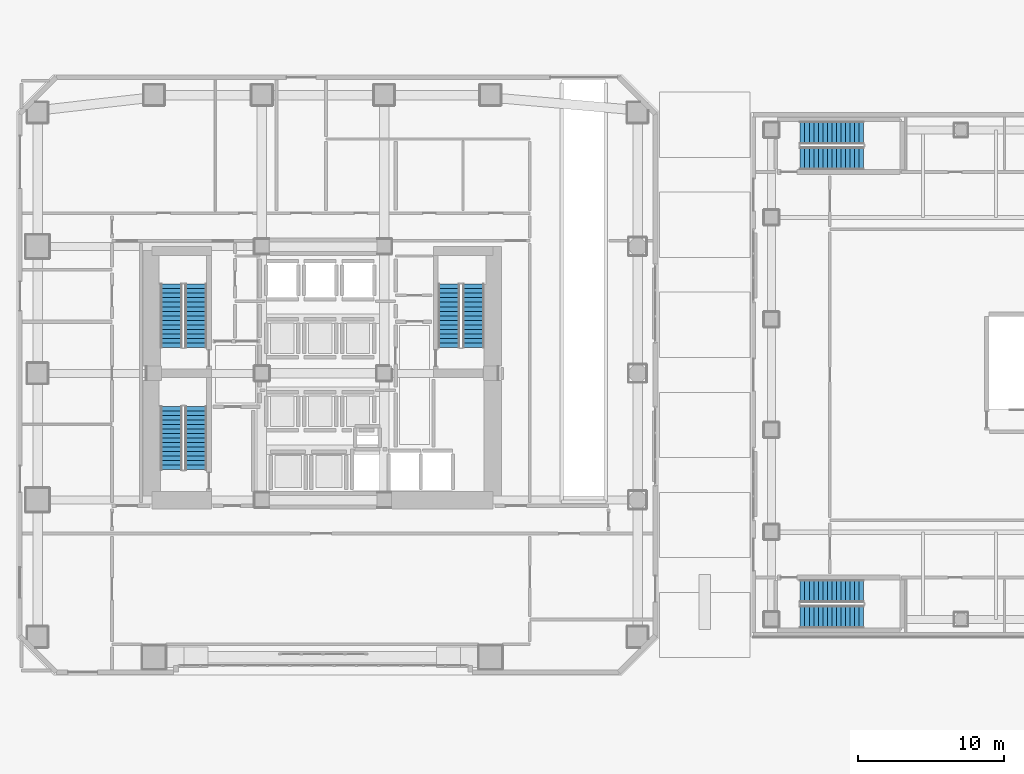
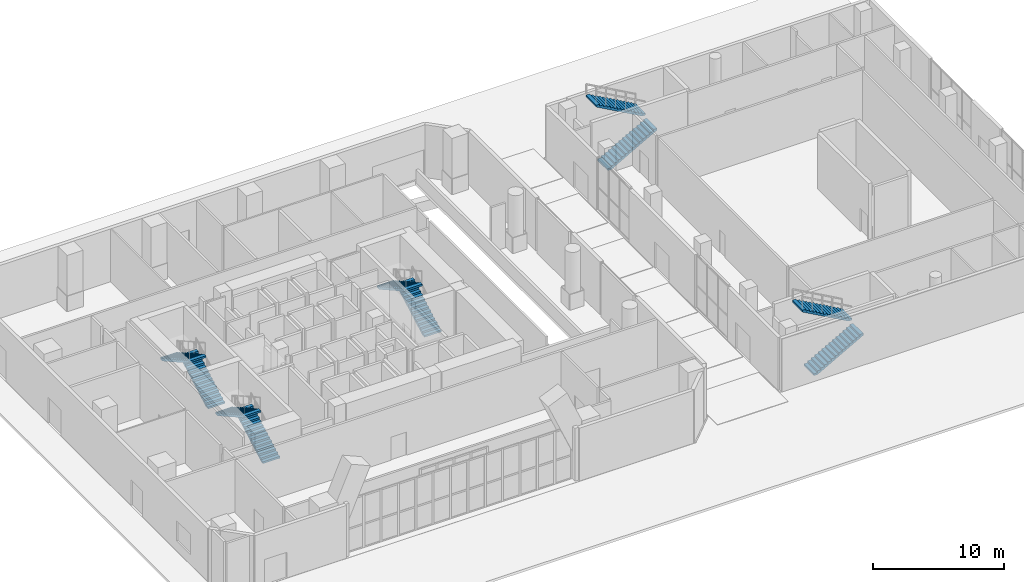
# One storey, part 26 of 30: 10 stair flights, 5 elements without a shape of their own.
"""IFC4 building model written with IfcOpenShell, lengths in metres."""

from ifc_helpers import new_model, si_unit, direction, frame, origin, place, context, subcontext, project, spatial, polyline, outline, extrude, material, type_object, element, aggregate, save


model = new_model("IFC4")

# Units and contexts
model_context = context("Model", 3, precision=1e-05, world=origin(), true_north=direction((0.0, 1.0)))
body_context = subcontext(model_context, "Body", "Model", "MODEL_VIEW")
ifc_project = project(units=[si_unit("LENGTHUNIT", "METRE"), si_unit("AREAUNIT", "SQUARE_METRE"), si_unit("VOLUMEUNIT", "CUBIC_METRE"), si_unit("PLANEANGLEUNIT", "RADIAN"), si_unit("MASSUNIT", "GRAM", prefix="KILO")], contexts=[model_context])

# Site, building, storey
site_placement = place(None, origin())
site = spatial("IfcSite", under=ifc_project, at=site_placement, CompositionType="ELEMENT")
building_placement = place(site_placement, origin())
building = spatial("IfcBuilding", under=site, at=building_placement, Name="Solanera Arch Residences", CompositionType="ELEMENT")
storey_placement = place(building_placement, origin())
storey = spatial("IfcBuildingStorey", under=building, at=storey_placement, Name="L00", CompositionType="ELEMENT", Elevation=0.0)

# Stair, stair flights
ifc_material_1 = material(Name="Concrete C40/50 (f'c = 45 MPa)", Category="concrete")
stair_type_1 = type_object("IfcStairType", Name="Arena Dogleg Exit Stair 1560", PredefinedType="HALF_TURN_STAIR", material=ifc_material_1)
stair_1_placement = place(storey_placement, origin())
stair_1 = element("IfcStair", 1, at=stair_1_placement, inside=storey, type_object=stair_type_1, Name="L00 Sports Hall South Exit Stair", PredefinedType="HALF_TURN_STAIR")
ifc_material_2 = material(Name="Concrete C40/50 (f'c = 45 MPa)", Category="concrete")
stair_flight_type_1 = type_object("IfcStairFlightType", Name="Arena Precast Stair Flight 1560", PredefinedType="STRAIGHT", material=ifc_material_2)
stair_flight_1_placement = place(storey_placement, frame((57.760009765625, 13.97998046875, 0.0), z_axis=(0.0, 0.0, 1.0), x_axis=(1.0, 0.0, 0.0)))
stair_flight_1 = element("IfcStairFlight", 2, at=stair_flight_1_placement, type_object=stair_flight_type_1, Name="ST-H1 flight 1", NumberOfRisers=15, NumberOfTreads=14, PredefinedType="STRAIGHT", RiserHeight=0.173333333, TreadLength=0.31, context=body_context, shape_type="SweptSolid", body=[
    extrude(outline(polyline([(0.0, 0.0), (0.0, 0.17333984375), (0.31005859375, 0.17333984375), (0.31005859375, 0.3466796875), (0.6201171875, 0.3466796875), (0.6201171875, 0.52001953125), (0.929931640625, 0.52001953125), (0.929931640625, 0.693359375), (1.239990234375, 0.693359375), (1.239990234375, 0.86669921875), (1.550048828125, 0.86669921875), (1.550048828125, 1.0400390625), (1.860107421875, 1.0400390625), (1.860107421875, 1.21337890625), (2.169921875, 1.21337890625), (2.169921875, 1.38671875), (2.47998046875, 1.38671875), (2.47998046875, 1.56005859375), (2.7900390625, 1.56005859375), (2.7900390625, 1.7333984375), (3.10009765625, 1.7333984375), (3.10009765625, 1.90673828125), (3.409912109375, 1.90673828125), (3.409912109375, 2.080078125), (3.719970703125, 2.080078125), (3.719970703125, 2.25341796875), (4.030029296875, 2.25341796875), (4.030029296875, 2.4267578125), (4.340087890625, 2.4267578125), (4.340087890625, 2.60009765625), (4.340087890625, 2.2548828125), (0.30712890625, 0.0), (0.0, 0.0)])), frame((0.0, 0.780029296875, 0.0), z_axis=(0.0, -1.0, 0.0), x_axis=(1.0, 0.0, 0.0)), (0.0, 0.0, 1.0), 1.56005859375),
])
stair_flight_2_placement = place(storey_placement, frame((62.10009765625, 15.739990234375, 2.60009765625), z_axis=(0.0, 0.0, 1.0), x_axis=(-1.0, 0.0, 0.0)))
stair_flight_2 = element("IfcStairFlight", 3, at=stair_flight_2_placement, type_object=stair_flight_type_1, Name="ST-H1 flight 2", NumberOfRisers=15, NumberOfTreads=14, PredefinedType="STRAIGHT", RiserHeight=0.173333333, TreadLength=0.31, context=body_context, shape_type="SweptSolid", body=[
    extrude(outline(polyline([(0.0, 0.0), (0.0, 0.17333984375), (0.31005859375, 0.17333984375), (0.31005859375, 0.3466796875), (0.6201171875, 0.3466796875), (0.6201171875, 0.52001953125), (0.929931640625, 0.52001953125), (0.929931640625, 0.693359375), (1.239990234375, 0.693359375), (1.239990234375, 0.86669921875), (1.550048828125, 0.86669921875), (1.550048828125, 1.0400390625), (1.860107421875, 1.0400390625), (1.860107421875, 1.21337890625), (2.169921875, 1.21337890625), (2.169921875, 1.38671875), (2.47998046875, 1.38671875), (2.47998046875, 1.56005859375), (2.7900390625, 1.56005859375), (2.7900390625, 1.7333984375), (3.10009765625, 1.7333984375), (3.10009765625, 1.90673828125), (3.409912109375, 1.90673828125), (3.409912109375, 2.080078125), (3.719970703125, 2.080078125), (3.719970703125, 2.25341796875), (4.030029296875, 2.25341796875), (4.030029296875, 2.4267578125), (4.340087890625, 2.4267578125), (4.340087890625, 2.60009765625), (4.340087890625, 2.2548828125), (0.30712890625, 0.0), (0.0, 0.0)])), frame((0.0, 0.780029296875, 0.0), z_axis=(0.0, -1.0, 0.0), x_axis=(1.0, 0.0, 0.0)), (0.0, 0.0, 1.0), 1.56005859375),
])
aggregate(stair_1, [stair_flight_1, stair_flight_2])

stair_2_placement = place(storey_placement, origin())
stair_2 = element("IfcStair", 4, at=stair_2_placement, inside=storey, type_object=stair_type_1, Name="L00 Sports Hall North Exit Stair", PredefinedType="HALF_TURN_STAIR")
stair_flight_3_placement = place(storey_placement, frame((57.760009765625, 45.4599609375, 0.0), z_axis=(0.0, 0.0, 1.0), x_axis=(1.0, 0.0, 0.0)))
stair_flight_3 = element("IfcStairFlight", 5, at=stair_flight_3_placement, type_object=stair_flight_type_1, Name="ST-H2 flight 1", NumberOfRisers=15, NumberOfTreads=14, PredefinedType="STRAIGHT", RiserHeight=0.173333333, TreadLength=0.31, context=body_context, shape_type="SweptSolid", body=[
    extrude(outline(polyline([(0.0, 0.0), (0.0, 0.17333984375), (0.31005859375, 0.17333984375), (0.31005859375, 0.3466796875), (0.6201171875, 0.3466796875), (0.6201171875, 0.52001953125), (0.929931640625, 0.52001953125), (0.929931640625, 0.693359375), (1.239990234375, 0.693359375), (1.239990234375, 0.86669921875), (1.550048828125, 0.86669921875), (1.550048828125, 1.0400390625), (1.860107421875, 1.0400390625), (1.860107421875, 1.21337890625), (2.169921875, 1.21337890625), (2.169921875, 1.38671875), (2.47998046875, 1.38671875), (2.47998046875, 1.56005859375), (2.7900390625, 1.56005859375), (2.7900390625, 1.7333984375), (3.10009765625, 1.7333984375), (3.10009765625, 1.90673828125), (3.409912109375, 1.90673828125), (3.409912109375, 2.080078125), (3.719970703125, 2.080078125), (3.719970703125, 2.25341796875), (4.030029296875, 2.25341796875), (4.030029296875, 2.4267578125), (4.340087890625, 2.4267578125), (4.340087890625, 2.60009765625), (4.340087890625, 2.2548828125), (0.30712890625, 0.0), (0.0, 0.0)])), frame((0.0, 0.780029296875, 0.0), z_axis=(0.0, -1.0, 0.0), x_axis=(1.0, 0.0, 0.0)), (0.0, 0.0, 1.0), 1.56005859375),
])
stair_flight_4_placement = place(storey_placement, frame((62.10009765625, 47.219970703125, 2.60009765625), z_axis=(0.0, 0.0, 1.0), x_axis=(-1.0, 0.0, 0.0)))
stair_flight_4 = element("IfcStairFlight", 6, at=stair_flight_4_placement, type_object=stair_flight_type_1, Name="ST-H2 flight 2", NumberOfRisers=15, NumberOfTreads=14, PredefinedType="STRAIGHT", RiserHeight=0.173333333, TreadLength=0.31, context=body_context, shape_type="SweptSolid", body=[
    extrude(outline(polyline([(0.0, 0.0), (0.0, 0.17333984375), (0.31005859375, 0.17333984375), (0.31005859375, 0.3466796875), (0.6201171875, 0.3466796875), (0.6201171875, 0.52001953125), (0.929931640625, 0.52001953125), (0.929931640625, 0.693359375), (1.239990234375, 0.693359375), (1.239990234375, 0.86669921875), (1.550048828125, 0.86669921875), (1.550048828125, 1.0400390625), (1.860107421875, 1.0400390625), (1.860107421875, 1.21337890625), (2.169921875, 1.21337890625), (2.169921875, 1.38671875), (2.47998046875, 1.38671875), (2.47998046875, 1.56005859375), (2.7900390625, 1.56005859375), (2.7900390625, 1.7333984375), (3.10009765625, 1.7333984375), (3.10009765625, 1.90673828125), (3.409912109375, 1.90673828125), (3.409912109375, 2.080078125), (3.719970703125, 2.080078125), (3.719970703125, 2.25341796875), (4.030029296875, 2.25341796875), (4.030029296875, 2.4267578125), (4.340087890625, 2.4267578125), (4.340087890625, 2.60009765625), (4.340087890625, 2.2548828125), (0.30712890625, 0.0), (0.0, 0.0)])), frame((0.0, 0.780029296875, 0.0), z_axis=(0.0, -1.0, 0.0), x_axis=(1.0, 0.0, 0.0)), (0.0, 0.0, 1.0), 1.56005859375),
])
aggregate(stair_2, [stair_flight_3, stair_flight_4])

ifc_material_3 = material(Name="Concrete C40/50 (f'c = 45 MPa)", Category="concrete")
stair_type_2 = type_object("IfcStairType", Name="Tower Dogleg Exit Stair 1480", PredefinedType="HALF_TURN_STAIR", material=ifc_material_3)
stair_3_placement = place(storey_placement, origin())
stair_3 = element("IfcStair", 7, at=stair_3_placement, inside=storey, type_object=stair_type_2, Name="L00 Tower Core Exit Stair 1", PredefinedType="HALF_TURN_STAIR")
ifc_material_4 = material(Name="Concrete C40/50 (f'c = 45 MPa)", Category="concrete")
stair_flight_type_2 = type_object("IfcStairFlightType", Name="Tower Precast Stair Flight 1480", PredefinedType="STRAIGHT", material=ifc_material_4)
stair_flight_5_placement = place(storey_placement, frame((16.260009765625, 32.47998046875, 0.0), z_axis=(0.0, 0.0, 1.0), x_axis=(0.0, 1.0, 0.0)))
stair_flight_5 = element("IfcStairFlight", 8, at=stair_flight_5_placement, type_object=stair_flight_type_2, Name="ST-T1 flight 1", NumberOfRisers=15, NumberOfTreads=14, PredefinedType="STRAIGHT", RiserHeight=0.173333333, TreadLength=0.31, context=body_context, shape_type="SweptSolid", body=[
    extrude(outline(polyline([(0.0, 0.0), (0.0, 0.17333984375), (0.31005859375, 0.17333984375), (0.31005859375, 0.3466796875), (0.6201171875, 0.3466796875), (0.6201171875, 0.52001953125), (0.929931640625, 0.52001953125), (0.929931640625, 0.693359375), (1.239990234375, 0.693359375), (1.239990234375, 0.86669921875), (1.550048828125, 0.86669921875), (1.550048828125, 1.0400390625), (1.860107421875, 1.0400390625), (1.860107421875, 1.21337890625), (2.169921875, 1.21337890625), (2.169921875, 1.38671875), (2.47998046875, 1.38671875), (2.47998046875, 1.56005859375), (2.7900390625, 1.56005859375), (2.7900390625, 1.7333984375), (3.10009765625, 1.7333984375), (3.10009765625, 1.90673828125), (3.409912109375, 1.90673828125), (3.409912109375, 2.080078125), (3.719970703125, 2.080078125), (3.719970703125, 2.25341796875), (4.030029296875, 2.25341796875), (4.030029296875, 2.4267578125), (4.340087890625, 2.4267578125), (4.340087890625, 2.60009765625), (4.340087890625, 2.2548828125), (0.30712890625, 0.0), (0.0, 0.0)])), frame((0.0, 0.739990234375, 0.0), z_axis=(0.0, -1.0, 0.0), x_axis=(1.0, 0.0, 0.0)), (0.0, 0.0, 1.0), 1.47998046875),
])
stair_flight_6_placement = place(storey_placement, frame((14.580078125, 36.820068359375, 2.60009765625), z_axis=(0.0, 0.0, 1.0), x_axis=(0.0, -1.0, 0.0)))
stair_flight_6 = element("IfcStairFlight", 9, at=stair_flight_6_placement, type_object=stair_flight_type_2, Name="ST-T1 flight 2", NumberOfRisers=15, NumberOfTreads=14, PredefinedType="STRAIGHT", RiserHeight=0.173333333, TreadLength=0.31, context=body_context, shape_type="SweptSolid", body=[
    extrude(outline(polyline([(0.0, 0.0), (0.0, 0.17333984375), (0.31005859375, 0.17333984375), (0.31005859375, 0.3466796875), (0.6201171875, 0.3466796875), (0.6201171875, 0.52001953125), (0.929931640625, 0.52001953125), (0.929931640625, 0.693359375), (1.239990234375, 0.693359375), (1.239990234375, 0.86669921875), (1.550048828125, 0.86669921875), (1.550048828125, 1.0400390625), (1.860107421875, 1.0400390625), (1.860107421875, 1.21337890625), (2.169921875, 1.21337890625), (2.169921875, 1.38671875), (2.47998046875, 1.38671875), (2.47998046875, 1.56005859375), (2.7900390625, 1.56005859375), (2.7900390625, 1.7333984375), (3.10009765625, 1.7333984375), (3.10009765625, 1.90673828125), (3.409912109375, 1.90673828125), (3.409912109375, 2.080078125), (3.719970703125, 2.080078125), (3.719970703125, 2.25341796875), (4.030029296875, 2.25341796875), (4.030029296875, 2.4267578125), (4.340087890625, 2.4267578125), (4.340087890625, 2.60009765625), (4.340087890625, 2.2548828125), (0.30712890625, 0.0), (0.0, 0.0)])), frame((0.0, 0.739990234375, 0.0), z_axis=(0.0, -1.0, 0.0), x_axis=(1.0, 0.0, 0.0)), (0.0, 0.0, 1.0), 1.47998046875),
])
aggregate(stair_3, [stair_flight_5, stair_flight_6])

stair_4_placement = place(storey_placement, origin())
stair_4 = element("IfcStair", 10, at=stair_4_placement, inside=storey, type_object=stair_type_2, Name="L00 Tower Core Exit Stair 2", PredefinedType="HALF_TURN_STAIR")
stair_flight_7_placement = place(storey_placement, frame((35.320068359375, 32.47998046875, 0.0), z_axis=(0.0, 0.0, 1.0), x_axis=(0.0, 1.0, 0.0)))
stair_flight_7 = element("IfcStairFlight", 11, at=stair_flight_7_placement, type_object=stair_flight_type_2, Name="ST-T2 flight 1", NumberOfRisers=15, NumberOfTreads=14, PredefinedType="STRAIGHT", RiserHeight=0.173333333, TreadLength=0.31, context=body_context, shape_type="SweptSolid", body=[
    extrude(outline(polyline([(0.0, 0.0), (0.0, 0.17333984375), (0.31005859375, 0.17333984375), (0.31005859375, 0.3466796875), (0.6201171875, 0.3466796875), (0.6201171875, 0.52001953125), (0.929931640625, 0.52001953125), (0.929931640625, 0.693359375), (1.239990234375, 0.693359375), (1.239990234375, 0.86669921875), (1.550048828125, 0.86669921875), (1.550048828125, 1.0400390625), (1.860107421875, 1.0400390625), (1.860107421875, 1.21337890625), (2.169921875, 1.21337890625), (2.169921875, 1.38671875), (2.47998046875, 1.38671875), (2.47998046875, 1.56005859375), (2.7900390625, 1.56005859375), (2.7900390625, 1.7333984375), (3.10009765625, 1.7333984375), (3.10009765625, 1.90673828125), (3.409912109375, 1.90673828125), (3.409912109375, 2.080078125), (3.719970703125, 2.080078125), (3.719970703125, 2.25341796875), (4.030029296875, 2.25341796875), (4.030029296875, 2.4267578125), (4.340087890625, 2.4267578125), (4.340087890625, 2.60009765625), (4.340087890625, 2.2548828125), (0.30712890625, 0.0), (0.0, 0.0)])), frame((0.0, 0.739990234375, 0.0), z_axis=(0.0, -1.0, 0.0), x_axis=(1.0, 0.0, 0.0)), (0.0, 0.0, 1.0), 1.47998046875),
])
stair_flight_8_placement = place(storey_placement, frame((33.639892578125, 36.820068359375, 2.60009765625), z_axis=(0.0, 0.0, 1.0), x_axis=(0.0, -1.0, 0.0)))
stair_flight_8 = element("IfcStairFlight", 12, at=stair_flight_8_placement, type_object=stair_flight_type_2, Name="ST-T2 flight 2", NumberOfRisers=15, NumberOfTreads=14, PredefinedType="STRAIGHT", RiserHeight=0.173333333, TreadLength=0.31, context=body_context, shape_type="SweptSolid", body=[
    extrude(outline(polyline([(0.0, 0.0), (0.0, 0.17333984375), (0.31005859375, 0.17333984375), (0.31005859375, 0.3466796875), (0.6201171875, 0.3466796875), (0.6201171875, 0.52001953125), (0.929931640625, 0.52001953125), (0.929931640625, 0.693359375), (1.239990234375, 0.693359375), (1.239990234375, 0.86669921875), (1.550048828125, 0.86669921875), (1.550048828125, 1.0400390625), (1.860107421875, 1.0400390625), (1.860107421875, 1.21337890625), (2.169921875, 1.21337890625), (2.169921875, 1.38671875), (2.47998046875, 1.38671875), (2.47998046875, 1.56005859375), (2.7900390625, 1.56005859375), (2.7900390625, 1.7333984375), (3.10009765625, 1.7333984375), (3.10009765625, 1.90673828125), (3.409912109375, 1.90673828125), (3.409912109375, 2.080078125), (3.719970703125, 2.080078125), (3.719970703125, 2.25341796875), (4.030029296875, 2.25341796875), (4.030029296875, 2.4267578125), (4.340087890625, 2.4267578125), (4.340087890625, 2.60009765625), (4.340087890625, 2.2548828125), (0.30712890625, 0.0), (0.0, 0.0)])), frame((0.0, 0.739990234375, 0.0), z_axis=(0.0, -1.0, 0.0), x_axis=(1.0, 0.0, 0.0)), (0.0, 0.0, 1.0), 1.47998046875),
])
aggregate(stair_4, [stair_flight_7, stair_flight_8])

stair_5_placement = place(storey_placement, origin())
stair_5 = element("IfcStair", 13, at=stair_5_placement, inside=storey, type_object=stair_type_2, Name="L00 Tower Core Exit Stair 3", PredefinedType="HALF_TURN_STAIR")
stair_flight_9_placement = place(storey_placement, frame((16.260009765625, 24.080078125, 0.0), z_axis=(0.0, 0.0, 1.0), x_axis=(0.0, 1.0, 0.0)))
stair_flight_9 = element("IfcStairFlight", 14, at=stair_flight_9_placement, type_object=stair_flight_type_2, Name="ST-T3 flight 1", NumberOfRisers=15, NumberOfTreads=14, PredefinedType="STRAIGHT", RiserHeight=0.173333333, TreadLength=0.31, context=body_context, shape_type="SweptSolid", body=[
    extrude(outline(polyline([(0.0, 0.0), (0.0, 0.17333984375), (0.31005859375, 0.17333984375), (0.31005859375, 0.3466796875), (0.6201171875, 0.3466796875), (0.6201171875, 0.52001953125), (0.929931640625, 0.52001953125), (0.929931640625, 0.693359375), (1.239990234375, 0.693359375), (1.239990234375, 0.86669921875), (1.550048828125, 0.86669921875), (1.550048828125, 1.0400390625), (1.860107421875, 1.0400390625), (1.860107421875, 1.21337890625), (2.169921875, 1.21337890625), (2.169921875, 1.38671875), (2.47998046875, 1.38671875), (2.47998046875, 1.56005859375), (2.7900390625, 1.56005859375), (2.7900390625, 1.7333984375), (3.10009765625, 1.7333984375), (3.10009765625, 1.90673828125), (3.409912109375, 1.90673828125), (3.409912109375, 2.080078125), (3.719970703125, 2.080078125), (3.719970703125, 2.25341796875), (4.030029296875, 2.25341796875), (4.030029296875, 2.4267578125), (4.340087890625, 2.4267578125), (4.340087890625, 2.60009765625), (4.340087890625, 2.2548828125), (0.30712890625, 0.0), (0.0, 0.0)])), frame((0.0, 0.739990234375, 0.0), z_axis=(0.0, -1.0, 0.0), x_axis=(1.0, 0.0, 0.0)), (0.0, 0.0, 1.0), 1.47998046875),
])
stair_flight_10_placement = place(storey_placement, frame((14.580078125, 28.419921875, 2.60009765625), z_axis=(0.0, 0.0, 1.0), x_axis=(0.0, -1.0, 0.0)))
stair_flight_10 = element("IfcStairFlight", 15, at=stair_flight_10_placement, type_object=stair_flight_type_2, Name="ST-T3 flight 2", NumberOfRisers=15, NumberOfTreads=14, PredefinedType="STRAIGHT", RiserHeight=0.173333333, TreadLength=0.31, context=body_context, shape_type="SweptSolid", body=[
    extrude(outline(polyline([(0.0, 0.0), (0.0, 0.17333984375), (0.31005859375, 0.17333984375), (0.31005859375, 0.3466796875), (0.6201171875, 0.3466796875), (0.6201171875, 0.52001953125), (0.929931640625, 0.52001953125), (0.929931640625, 0.693359375), (1.239990234375, 0.693359375), (1.239990234375, 0.86669921875), (1.550048828125, 0.86669921875), (1.550048828125, 1.0400390625), (1.860107421875, 1.0400390625), (1.860107421875, 1.21337890625), (2.169921875, 1.21337890625), (2.169921875, 1.38671875), (2.47998046875, 1.38671875), (2.47998046875, 1.56005859375), (2.7900390625, 1.56005859375), (2.7900390625, 1.7333984375), (3.10009765625, 1.7333984375), (3.10009765625, 1.90673828125), (3.409912109375, 1.90673828125), (3.409912109375, 2.080078125), (3.719970703125, 2.080078125), (3.719970703125, 2.25341796875), (4.030029296875, 2.25341796875), (4.030029296875, 2.4267578125), (4.340087890625, 2.4267578125), (4.340087890625, 2.60009765625), (4.340087890625, 2.2548828125), (0.30712890625, 0.0), (0.0, 0.0)])), frame((0.0, 0.739990234375, 0.0), z_axis=(0.0, -1.0, 0.0), x_axis=(1.0, 0.0, 0.0)), (0.0, 0.0, 1.0), 1.47998046875),
])
aggregate(stair_5, [stair_flight_9, stair_flight_10])

save(model, "model.ifc")
